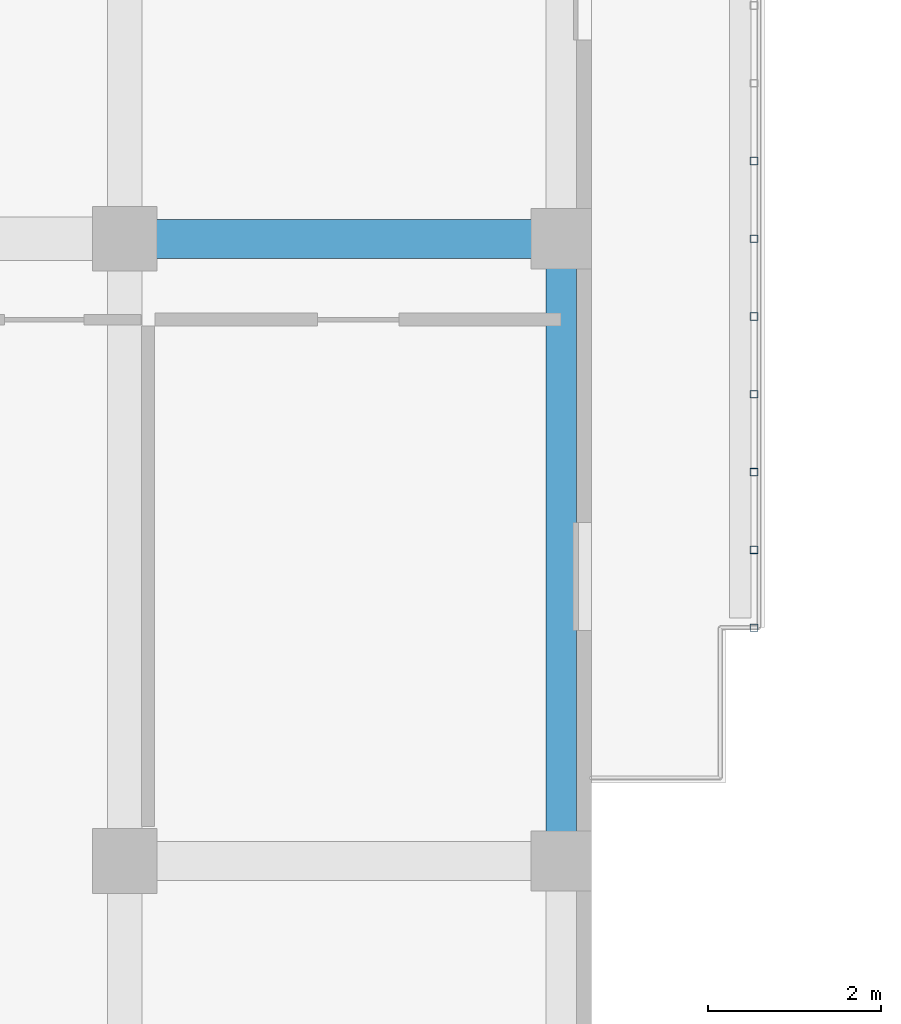
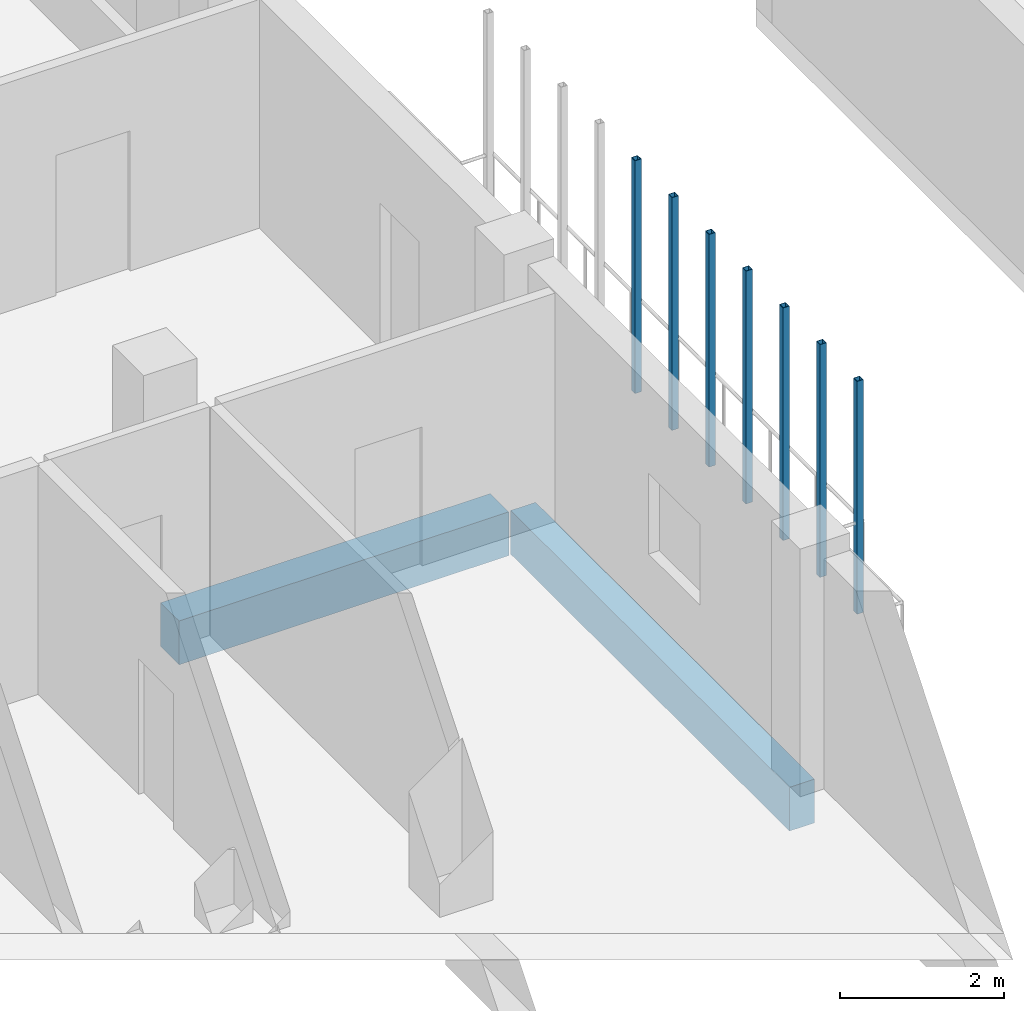
# One storey, part 4 of 73: 7 members, 2 beams.
"""IFC4 building model written with IfcOpenShell, lengths in metres."""

import ifcopenshell
import ifcopenshell.guid

model = None  # the IFC model being written
_history = None  # IfcOwnerHistory: only IFC2X3 demands one
_inside = {}  # id of a spatial element -> (the spatial element, [elements in it])
_under = {}  # id of a project, library or spatial element -> (it, [spatial elements below it])
_declared = {}  # id of a project -> (the project, [libraries it declares])
_typed = {}  # id of a type object -> (the type object, [elements of that type])
_made_of = {}  # id of a material, layer set ... -> (it, [elements and type objects made of it])


def new_model(schema):
    """Start an empty IFC model of exactly this schema.

    Asked for "IFC4X3", IfcOpenShell would pick the latest addendum, in which some entities
    have other attributes; the version numbers below select the first issue.
    IFC2X3 requires an IfcOwnerHistory on every rooted entity: one is made here for all.
    """
    global model, _history
    if schema == "IFC4X3":
        model = ifcopenshell.file(schema_version=(4, 3, 0, 0))
    else:
        model = ifcopenshell.file(schema=schema)
    _inside.clear()
    _under.clear()
    _declared.clear()
    _typed.clear()
    _made_of.clear()
    _history = None
    if model.schema == "IFC2X3":
        org = make("IfcOrganization", Name="unknown")
        user = make(
            "IfcPersonAndOrganization",
            ThePerson=make("IfcPerson", FamilyName="unknown"),
            TheOrganization=org,
        )
        app = make(
            "IfcApplication",
            ApplicationDeveloper=org,
            Version="unknown",
            ApplicationFullName="unknown",
            ApplicationIdentifier="unknown",
        )
        _history = make(
            "IfcOwnerHistory",
            OwningUser=user,
            OwningApplication=app,
            ChangeAction="ADDED",
            CreationDate=0,
        )
    return model


def make(cls, **values):
    """One entity of the class cls with the attributes given. An attribute that is None is left unset."""
    return model.create_entity(
        cls, **{name: value for name, value in values.items() if value is not None}
    )


def rooted(cls, **values):
    """An entity with a GlobalId (a new one), such as an element, a storey or a relation."""
    return make(cls, GlobalId=ifcopenshell.guid.new(), OwnerHistory=_history, **values)


def si_unit(unit_type, name, prefix=None):
    """IfcSIUnit, for example si_unit("LENGTHUNIT", "METRE", prefix="MILLI")."""
    return make("IfcSIUnit", UnitType=unit_type, Prefix=prefix, Name=name)


def derived_unit(unit_type, elements):
    """IfcDerivedUnit: a product of units, each with its exponent."""
    return make(
        "IfcDerivedUnit",
        Elements=[
            make("IfcDerivedUnitElement", Unit=unit, Exponent=power)
            for unit, power in elements
        ],
        UnitType=unit_type,
    )


def assignment(units):
    """IfcUnitAssignment: the units of a project."""
    return None if units is None else make("IfcUnitAssignment", Units=units)


def point(xyz):
    """IfcCartesianPoint."""
    return None if xyz is None else make("IfcCartesianPoint", Coordinates=xyz)


def direction(xyz):
    """IfcDirection."""
    return None if xyz is None else make("IfcDirection", DirectionRatios=xyz)


def frame(location, z_axis=None, x_axis=None):
    """IfcAxis2Placement3D, a coordinate frame: its origin and axes. An axis left out is left unset."""
    return make(
        "IfcAxis2Placement3D",
        Location=point(location),
        Axis=direction(z_axis),
        RefDirection=direction(x_axis),
    )


def frame_2d(location, x_axis=None):
    """IfcAxis2Placement2D, a coordinate frame in the plane: its origin and x axis."""
    return make(
        "IfcAxis2Placement2D", Location=point(location), RefDirection=direction(x_axis)
    )


def origin():
    """The frame at (0, 0, 0) with its axes left unset."""
    return frame((0.0, 0.0, 0.0))


def origin_2d():
    """The frame at (0, 0) in the plane with its x axis left unset."""
    return frame_2d((0.0, 0.0))


def place(relative_to, where):
    """IfcLocalPlacement: puts the frame where relative to a parent placement (None: the world)."""
    return make(
        "IfcLocalPlacement", PlacementRelTo=relative_to, RelativePlacement=where
    )


def context(
    kind, dimensions, precision=None, world=None, true_north=None, identifier=None
):
    """IfcGeometricRepresentationContext, for example the 3D "Model" context."""
    return make(
        "IfcGeometricRepresentationContext",
        ContextIdentifier=identifier,
        ContextType=kind,
        CoordinateSpaceDimension=dimensions,
        Precision=precision,
        WorldCoordinateSystem=world,
        TrueNorth=true_north,
    )


def subcontext(parent, identifier, kind, view, scale=None):
    """IfcGeometricRepresentationSubContext, for example "Body" below "Model"."""
    return make(
        "IfcGeometricRepresentationSubContext",
        ContextIdentifier=identifier,
        ContextType=kind,
        ParentContext=parent,
        TargetScale=scale,
        TargetView=view,
    )


def project(units=None, contexts=None):
    """IfcProject with its units and contexts."""
    return rooted(
        "IfcProject",
        Name="project",
        RepresentationContexts=contexts,
        UnitsInContext=assignment(units),
    )


def spatial(cls, under=None, at=None, **own):
    """A site, building, storey or space (cls), placed at a placement, below another one or the project."""
    s = rooted(cls, ObjectPlacement=at, **own)
    if under is not None:
        _under.setdefault(under.id(), (under, []))[1].append(s)
    return s


def profile(cls, at=None, kind="AREA", **sizes):
    """A parametric profile (cls). Its sizes go by their IFC names, for example OverallWidth=200.0."""
    return make(cls, ProfileType=kind, Position=at, **sizes)


def rectangle(**sizes):
    """IfcRectangleProfileDef."""
    return profile("IfcRectangleProfileDef", **sizes)


def hollow_rectangle(**sizes):
    """IfcRectangleHollowProfileDef."""
    return profile("IfcRectangleHollowProfileDef", **sizes)


def extrude(swept, where, along, depth):
    """IfcExtrudedAreaSolid: the profile swept, set in the frame where, extruded along a direction by depth."""
    return make(
        "IfcExtrudedAreaSolid",
        SweptArea=swept,
        Position=where,
        ExtrudedDirection=direction(along),
        Depth=depth,
    )


def shape(context_of_items, identifier, shape_type, items):
    """IfcShapeRepresentation: the items that make up one representation, for example the "Body"."""
    return make(
        "IfcShapeRepresentation",
        ContextOfItems=context_of_items,
        RepresentationIdentifier=identifier,
        RepresentationType=shape_type,
        Items=items,
    )


def material(Name=None, Category=None):
    """IfcMaterial."""
    return make("IfcMaterial", Name=Name, Category=Category)


def material_profile(
    of_material, cross_section, Name=None, Category=None, Priority=None
):
    """IfcMaterialProfile: a cross section and its material."""
    return make(
        "IfcMaterialProfile",
        Name=Name,
        Material=of_material,
        Profile=cross_section,
        Priority=Priority,
        Category=Category,
    )


def profile_set(profiles, Name=None, composite=None):
    """IfcMaterialProfileSet."""
    return make(
        "IfcMaterialProfileSet",
        Name=Name,
        MaterialProfiles=profiles,
        CompositeProfile=composite,
    )


def made_of(thing, what):
    """Note that an element or type object is made of a material, layer set ...; save() writes the relation."""
    if what is not None:
        _made_of.setdefault(what.id(), (what, []))[1].append(thing)
    return thing


def type_object(cls, material=None, **own):
    """A type object (cls), such as IfcWallType, which elements share."""
    return made_of(rooted(cls, **own), material)


def element(
    cls,
    number,
    at=None,
    inside=None,
    cuts=None,
    type_object=None,
    material=None,
    context=None,
    identifier="Body",
    shape_type=None,
    held_by="IfcProductDefinitionShape",
    body=None,
    shapes=None,
    **own,
):
    """One element of the class cls, such as IfcWall. Its Tag is "e" and its number.

    at: its placement. inside: the storey or other place that contains it. cuts: it is an
    opening in that element (IfcRelVoidsElement). A single representation is given by context,
    identifier, shape_type and body (its items); several are given by shapes. held_by: the class
    of the entity that holds the representations. save() writes the other relations.
    """
    e = rooted(cls, Tag="e%d" % number, ObjectPlacement=at, **own)
    if body is not None:
        shapes = [shape(context, identifier, shape_type, body)]
    if shapes is not None:
        e.Representation = make(held_by, Representations=shapes)
    if inside is not None:
        _inside.setdefault(inside.id(), (inside, []))[1].append(e)
    if cuts is not None:
        rooted(
            "IfcRelVoidsElement", RelatingBuildingElement=cuts, RelatedOpeningElement=e
        )
    if type_object is not None:
        _typed.setdefault(type_object.id(), (type_object, []))[1].append(e)
    return made_of(e, material)


def aggregate(whole, parts):
    """IfcRelAggregates: a whole, such as a stair, and the parts it consists of."""
    return rooted("IfcRelAggregates", RelatingObject=whole, RelatedObjects=parts)


def save(model, path):
    """Write the relations noted so far, then the file.

    IfcRelAggregates (storeys below a building ...), IfcRelContainedInSpatialStructure (elements
    in a storey), IfcRelDefinesByType, IfcRelAssociatesMaterial and IfcRelDeclares: one each for
    every whole, place, type object, material and project.
    """
    for whole, parts in _under.values():
        aggregate(whole, parts)
    for where, things in _inside.values():
        rooted(
            "IfcRelContainedInSpatialStructure",
            RelatedElements=things,
            RelatingStructure=where,
        )
    for kind, things in _typed.values():
        rooted("IfcRelDefinesByType", RelatedObjects=things, RelatingType=kind)
    for what, things in _made_of.values():
        rooted("IfcRelAssociatesMaterial", RelatedObjects=things, RelatingMaterial=what)
    for by, libraries in _declared.values():
        rooted("IfcRelDeclares", RelatingContext=by, RelatedDefinitions=libraries)
    model.write(path)


model = new_model("IFC4")

# Units and contexts
model_context = context("Model", 3, precision=1e-05, world=origin(), true_north=direction((0.0, 1.0)))
body_context = subcontext(model_context, "Body", "Model", "MODEL_VIEW")
ifc_project = project(units=[si_unit("LENGTHUNIT", "METRE"), si_unit("AREAUNIT", "SQUARE_METRE"), si_unit("VOLUMEUNIT", "CUBIC_METRE"), si_unit("PLANEANGLEUNIT", "RADIAN"), si_unit("MASSUNIT", "GRAM", prefix="KILO"), derived_unit("THERMALTRANSMITTANCEUNIT", [(si_unit("MASSUNIT", "GRAM", prefix="KILO"), 1), (si_unit("TIMEUNIT", "SECOND"), -3), (si_unit("THERMODYNAMICTEMPERATUREUNIT", "KELVIN"), -1)])], contexts=[model_context])

# Site, building, storey
site_placement = place(None, origin())
site = spatial("IfcSite", under=ifc_project, at=site_placement, CompositionType="ELEMENT")
building_placement = place(site_placement, origin())
building = spatial("IfcBuilding", under=site, at=building_placement, Name="Ochrekiln Boulevard Commons", CompositionType="ELEMENT")
storey_placement = place(building_placement, frame((0.0, 0.0, 4.89990234375)))
storey = spatial("IfcBuildingStorey", under=building, at=storey_placement, Name="L01", CompositionType="ELEMENT", Elevation=4.89990234375)

# Beam
ifc_material_1 = material(Name="Concrete C35/45", Category="concrete")
ifc_material_profile_1 = material_profile(ifc_material_1, rectangle(XDim=0.449951171875, YDim=0.64990234375, at=origin_2d()), Name="RC-BM-450x650")
ifc_profile_set_1 = profile_set([ifc_material_profile_1], Name="Concrete C35/45")
beam_type_1 = type_object("IfcBeamType", Name="BM-RC-450x650", PredefinedType="BEAM", material=ifc_profile_set_1)
beam_1_placement = place(storey_placement, frame((16.409912109375, 14.39990234375, -0.5849609375), z_axis=(1.0, 0.0, 0.0), x_axis=(0.0, 1.0, 0.0)))
element("IfcBeam", 1, at=beam_1_placement, inside=storey, type_object=beam_type_1, Name="Block D L01 Beam B-4565 X8", PredefinedType="BEAM", context=body_context, shape_type="SweptSolid", body=[
    extrude(rectangle(XDim=0.449951171875, YDim=0.64990234375, at=origin_2d()), origin(), (0.0, 0.0, 1.0), 4.630126953125),
])

# Members
ifc_material_2 = material(Name="Steel A500 Grade C", Category="steel")
ifc_material_profile_2 = material_profile(ifc_material_2, hollow_rectangle(XDim=0.090087890625, YDim=0.090087890625, WallThickness=0.00634765625, at=origin_2d()), Name="HSS90X90X6.4")
ifc_profile_set_2 = profile_set([ifc_material_profile_2], Name="Steel A500 Grade C")
member_type = type_object("IfcMemberType", Name="MEM-PST-HSS90", PredefinedType="POST", material=ifc_profile_set_2)
for number, where, z_axis, x_axis, name in (
    (2, (23.47998046875, 9.89990234375, 0.0), (0.0, 0.0, 1.0), (1.0, 0.0, 0.0), "Block D L01 Slim Vertical Balcony Post (276)"),
    (3, (23.47998046875, 10.800048828125, 0.0), (0.0, 0.0, 1.0), (1.0, 0.0, 0.0), "Block D L01 Slim Vertical Balcony Post (277)"),
    (4, (23.47998046875, 11.699951171875, 0.0), (0.0, 0.0, 1.0), (1.0, 0.0, 0.0), "Block D L01 Slim Vertical Balcony Post (278)"),
    (5, (23.47998046875, 12.60009765625, 0.0), (0.0, 0.0, 1.0), (1.0, 0.0, 0.0), "Block D L01 Slim Vertical Balcony Post (279)"),
    (6, (23.47998046875, 13.5, 0.0), (0.0, 0.0, 1.0), (1.0, 0.0, 0.0), "Block D L01 Slim Vertical Balcony Post (280)"),
    (7, (23.47998046875, 14.39990234375, 0.0), (0.0, 0.0, 1.0), (1.0, 0.0, 0.0), "Block D L01 Slim Vertical Balcony Post (281)"),
    (8, (23.47998046875, 15.300048828125, 0.0), (0.0, 0.0, 1.0), (1.0, 0.0, 0.0), "Block D L01 Slim Vertical Balcony Post (282)"),
):
    element("IfcMember", number, at=place(storey_placement, frame(where, z_axis=z_axis, x_axis=x_axis)), inside=storey, type_object=member_type, Name=name, PredefinedType="POST", context=body_context, shape_type="SweptSolid", body=[
        extrude(hollow_rectangle(XDim=0.090087890625, YDim=0.090087890625, WallThickness=0.00634765625, at=origin_2d()), origin(), (0.0, 0.0, 1.0), 3.455078125),
    ])

# Beam
ifc_material_3 = material(Name="Concrete C40/50", Category="concrete")
ifc_material_profile_3 = material_profile(ifc_material_3, rectangle(XDim=0.35009765625, YDim=0.64990234375, at=origin_2d()), Name="RC-SPN-350x650")
ifc_profile_set_3 = profile_set([ifc_material_profile_3], Name="Concrete C40/50")
beam_type_2 = type_object("IfcBeamType", Name="SPN-RC-350x650", PredefinedType="SPANDREL", material=ifc_profile_set_3)
beam_2_placement = place(storey_placement, frame((21.25, 7.409912109375, -0.5849609375), z_axis=(0.0, 1.0, 0.0), x_axis=(-1.0, 0.0, 0.0)))
element("IfcBeam", 9, at=beam_2_placement, inside=storey, type_object=beam_type_2, Name="Block D L01 Beam SP-3565 Y45", PredefinedType="SPANDREL", context=body_context, shape_type="SweptSolid", body=[
    extrude(rectangle(XDim=0.35009765625, YDim=0.64990234375, at=origin_2d()), origin(), (0.0, 0.0, 1.0), 6.780029296875),
])

save(model, "model.ifc")
